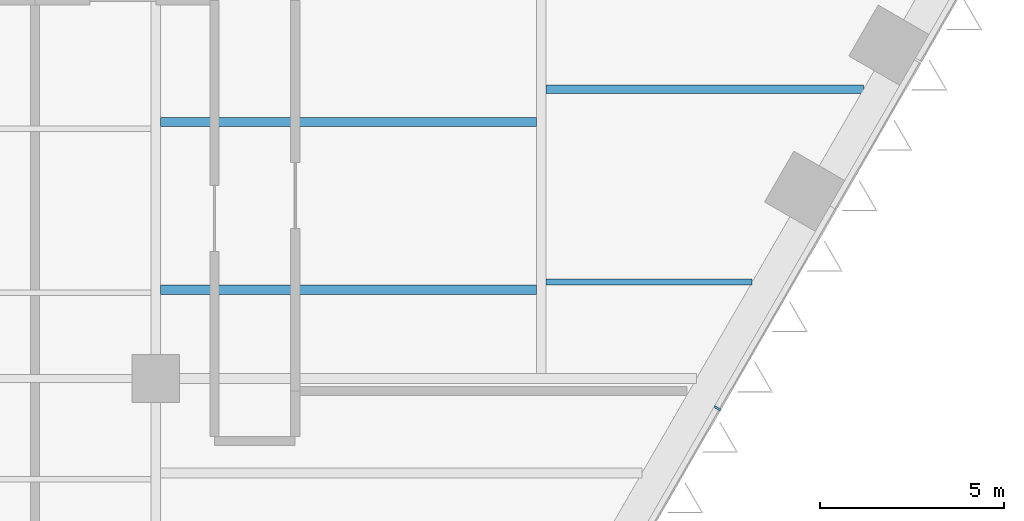
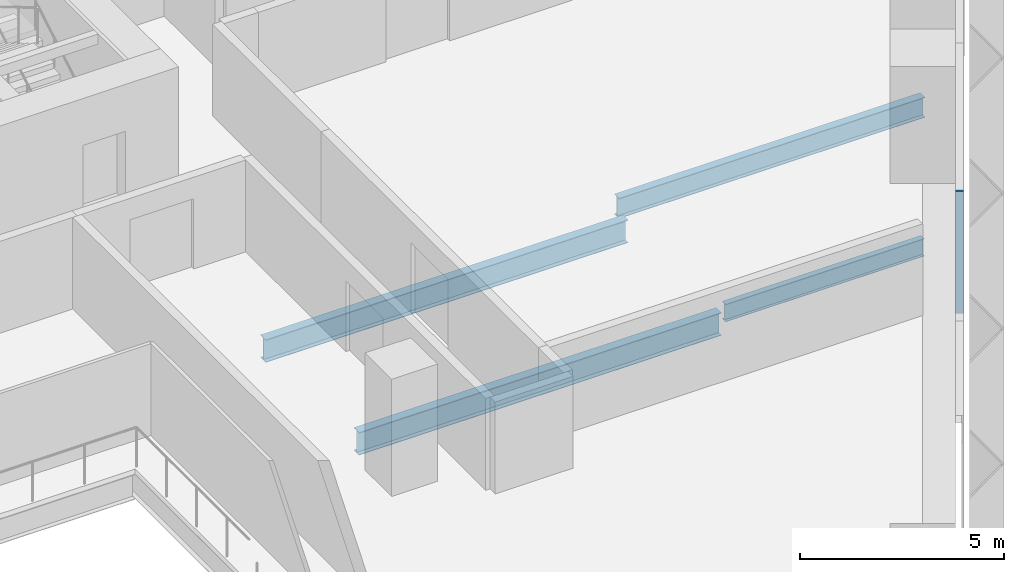
# One storey, part 7 of 24: 4 beams, 1 member, 1 element without a shape of its own.
"""IFC4 building model written with IfcOpenShell, lengths in metres."""

from ifc_helpers import new_model, si_unit, direction, frame, origin, origin_2d, place, context, subcontext, project, spatial, rectangle, i_section, extrude, material, layer, layer_set, material_profile, profile_set, type_object, element, aggregate, save


model = new_model("IFC4")

# Units and contexts
model_context = context("Model", 3, precision=1e-05, world=origin(), true_north=direction((0.0, 1.0)))
body_context = subcontext(model_context, "Body", "Model", "MODEL_VIEW")
ifc_project = project(units=[si_unit("LENGTHUNIT", "METRE"), si_unit("AREAUNIT", "SQUARE_METRE"), si_unit("VOLUMEUNIT", "CUBIC_METRE"), si_unit("PLANEANGLEUNIT", "RADIAN"), si_unit("MASSUNIT", "GRAM", prefix="KILO")], contexts=[model_context])

# Site, building, storey
site_placement = place(None, origin())
site = spatial("IfcSite", under=ifc_project, at=site_placement, CompositionType="ELEMENT")
building_placement = place(site_placement, origin())
building = spatial("IfcBuilding", under=site, at=building_placement, Name="Isthmus Gate Tower", CompositionType="ELEMENT")
storey_placement = place(building_placement, frame((0.0, 0.0, 80.64990234375)))
storey = spatial("IfcBuildingStorey", under=building, at=storey_placement, Name="L18", CompositionType="ELEMENT", Elevation=80.64990234375)

# Curtain wall, member
ifc_material_1 = material(Name="Aluminium, pale champagne anodised", Category="aluminium")
ifc_layer = layer(ifc_material_1, 0.199951171875)
ifc_layer_set = layer_set([ifc_layer], Name="CW-1 UNITISED CURTAIN WALL 200 DEEP")
curtain_wall_type = type_object("IfcCurtainWallType", Name="CW-1 UNITISED CURTAIN WALL 200 DEEP", PredefinedType="NOTDEFINED", material=ifc_layer_set)
curtain_wall_placement = place(storey_placement, origin())
curtain_wall = element("IfcCurtainWall", 1, at=curtain_wall_placement, inside=storey, type_object=curtain_wall_type, Name="CW-1 SE L18", PredefinedType="NOTDEFINED")
ifc_material_2 = material(Name="Aluminium, pale champagne anodised", Category="aluminium")
ifc_material_profile_1 = material_profile(ifc_material_2, rectangle(XDim=0.06005859375, YDim=0.199951171875, at=origin_2d()), Name="60x200")
ifc_profile_set_1 = profile_set([ifc_material_profile_1], Name="Aluminium, pale champagne anodised")
member_type = type_object("IfcMemberType", Name="CW-1 MULLION 60 X 200", PredefinedType="MULLION", material=ifc_profile_set_1)
member_placement = place(storey_placement, frame((28.802001953125, -14.3134765625, 0.0), z_axis=(0.0, 0.0, 1.0), x_axis=(0.5, 0.866025403784, 0.0)))
member = element("IfcMember", 2, at=member_placement, type_object=member_type, Name="CW-1 mullion", PredefinedType="MULLION", context=body_context, shape_type="SweptSolid", body=[
    extrude(rectangle(XDim=0.06005859375, YDim=0.199951171875, at=origin_2d()), origin(), (0.0, 0.0, 1.0), 3.650146484375),
])
aggregate(curtain_wall, [member])

# Beams
ifc_material_3 = material(Name="Structural steel ASTM A992 Gr 50", Category="steel")
ifc_material_profile_2 = material_profile(ifc_material_3, i_section(OverallWidth=0.1650390625, OverallDepth=0.52392578125, WebThickness=0.009521484375, FlangeThickness=0.010986328125, at=origin_2d()), Name="W21X44")
ifc_profile_set_2 = profile_set([ifc_material_profile_2], Name="Structural steel ASTM A992 Gr 50")
beam_type_1 = type_object("IfcBeamType", Name="STEEL FLOOR BEAM W21X44", PredefinedType="JOIST", material=ifc_profile_set_2)
beam_1_placement = place(storey_placement, frame((24.13330078125, -10.875, -0.411865234375), z_axis=(1.0, 0.0, 0.0), x_axis=(0.0, 1.0, 0.0)))
element("IfcBeam", 3, at=beam_1_placement, inside=storey, type_object=beam_type_1, Name="str-beam-L18-34-00", PredefinedType="JOIST", context=body_context, shape_type="SweptSolid", body=[
    extrude(i_section(OverallWidth=0.1650390625, OverallDepth=0.52392578125, WebThickness=0.009521484375, FlangeThickness=0.010986328125, at=origin_2d()), origin(), (0.0, 0.0, 1.0), 5.61474609375),
])
ifc_material_4 = material(Name="Structural steel ASTM A992 Gr 50", Category="steel")
ifc_material_profile_3 = material_profile(ifc_material_4, i_section(OverallWidth=0.228515625, OverallDepth=0.603271484375, WebThickness=0.010986328125, FlangeThickness=0.014404296875, at=origin_2d()), Name="W24X68")
ifc_profile_set_3 = profile_set([ifc_material_profile_3], Name="Structural steel ASTM A992 Gr 50")
beam_type_2 = type_object("IfcBeamType", Name="STEEL FLOOR BEAM W24X68", PredefinedType="JOIST", material=ifc_profile_set_3)
beam_2_placement = place(storey_placement, frame((24.13330078125, -5.625, -0.451416015625), z_axis=(1.0, 0.0, 0.0), x_axis=(0.0, 1.0, 0.0)))
element("IfcBeam", 4, at=beam_2_placement, inside=storey, type_object=beam_type_2, Name="str-beam-L18-34-01", PredefinedType="JOIST", context=body_context, shape_type="SweptSolid", body=[
    extrude(i_section(OverallWidth=0.228515625, OverallDepth=0.603271484375, WebThickness=0.010986328125, FlangeThickness=0.014404296875, at=origin_2d()), origin(), (0.0, 0.0, 1.0), 8.645751953125),
])
ifc_material_5 = material(Name="Structural steel ASTM A992 Gr 50", Category="steel")
ifc_material_profile_4 = material_profile(ifc_material_5, i_section(OverallWidth=0.25390625, OverallDepth=0.679443359375, WebThickness=0.010986328125, FlangeThickness=0.015869140625, at=origin_2d()), Name="W27X84")
ifc_profile_set_4 = profile_set([ifc_material_profile_4], Name="Structural steel ASTM A992 Gr 50")
beam_type_3 = type_object("IfcBeamType", Name="STEEL FLOOR BEAM W27X84", PredefinedType="JOIST", material=ifc_profile_set_4)
for number, where, z_axis, x_axis, name in (
    (5, (13.6318359375, -11.0830078125, -0.489501953125), (1.0, 0.0, 0.0), (0.0, 1.0, 0.0), "str-beam-L18-27-00"),
    (6, (13.6318359375, -6.515380859375, -0.489501953125), (1.0, 0.0, 0.0), (0.0, 1.0, 0.0), "str-beam-L18-27-01"),
):
    element("IfcBeam", number, at=place(storey_placement, frame(where, z_axis=z_axis, x_axis=x_axis)), inside=storey, type_object=beam_type_3, Name=name, PredefinedType="JOIST", context=body_context, shape_type="SweptSolid", body=[
        extrude(i_section(OverallWidth=0.25390625, OverallDepth=0.679443359375, WebThickness=0.010986328125, FlangeThickness=0.015869140625, at=origin_2d()), origin(), (0.0, 0.0, 1.0), 10.23486328125),
    ])

save(model, "model.ifc")
